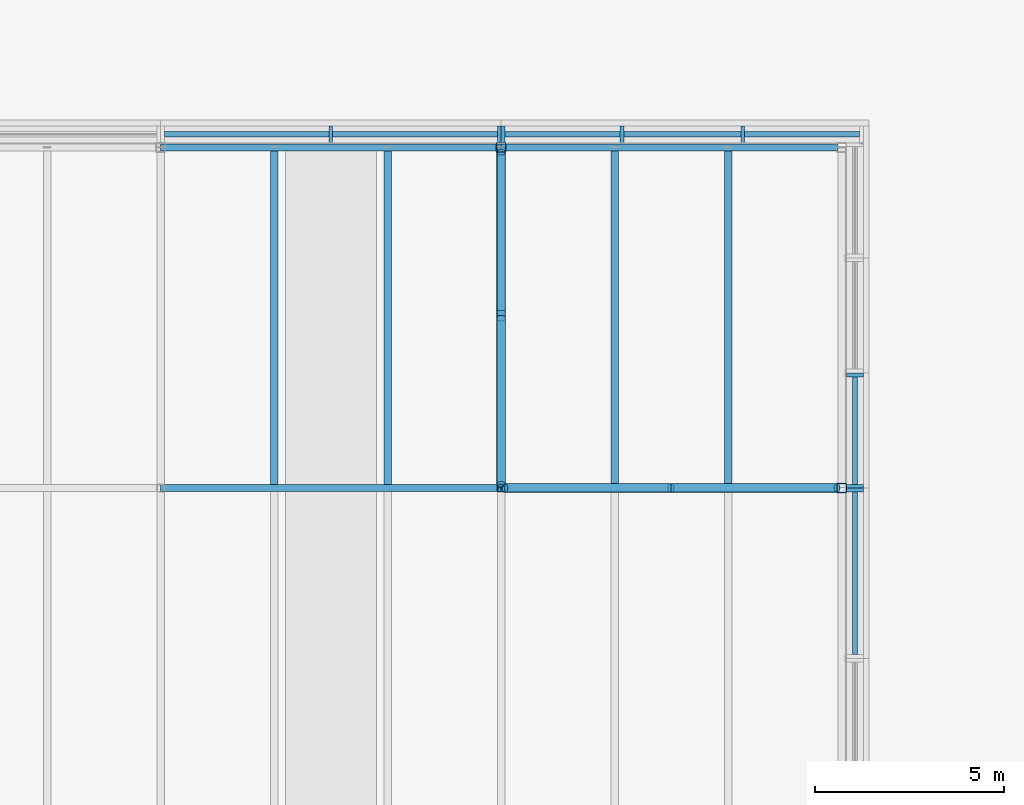
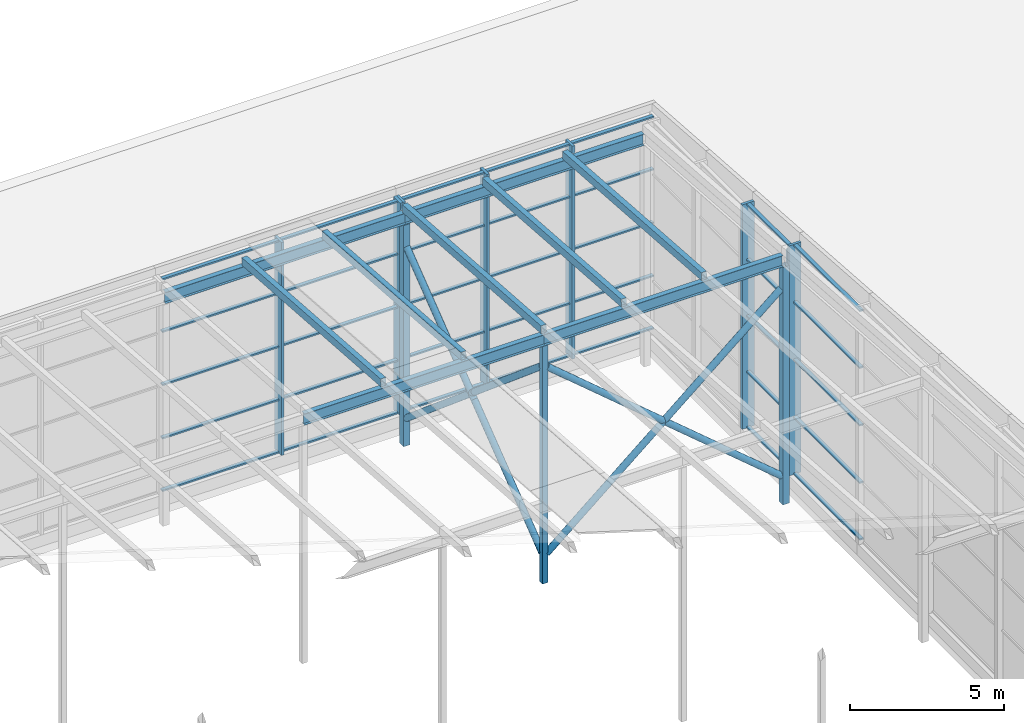
# One storey, part 47 of 84: 59 members, 4 beams, 4 elements without a shape of their own.
"""IFC4 building model written with IfcOpenShell, lengths in metres."""

import ifcopenshell
import ifcopenshell.guid

model = None  # the IFC model being written
_history = None  # IfcOwnerHistory: only IFC2X3 demands one
_inside = {}  # id of a spatial element -> (the spatial element, [elements in it])
_under = {}  # id of a project, library or spatial element -> (it, [spatial elements below it])
_declared = {}  # id of a project -> (the project, [libraries it declares])
_typed = {}  # id of a type object -> (the type object, [elements of that type])
_made_of = {}  # id of a material, layer set ... -> (it, [elements and type objects made of it])


def new_model(schema):
    """Start an empty IFC model of exactly this schema.

    Asked for "IFC4X3", IfcOpenShell would pick the latest addendum, in which some entities
    have other attributes; the version numbers below select the first issue.
    IFC2X3 requires an IfcOwnerHistory on every rooted entity: one is made here for all.
    """
    global model, _history
    if schema == "IFC4X3":
        model = ifcopenshell.file(schema_version=(4, 3, 0, 0))
    else:
        model = ifcopenshell.file(schema=schema)
    _inside.clear()
    _under.clear()
    _declared.clear()
    _typed.clear()
    _made_of.clear()
    _history = None
    if model.schema == "IFC2X3":
        org = make("IfcOrganization", Name="unknown")
        user = make(
            "IfcPersonAndOrganization",
            ThePerson=make("IfcPerson", FamilyName="unknown"),
            TheOrganization=org,
        )
        app = make(
            "IfcApplication",
            ApplicationDeveloper=org,
            Version="unknown",
            ApplicationFullName="unknown",
            ApplicationIdentifier="unknown",
        )
        _history = make(
            "IfcOwnerHistory",
            OwningUser=user,
            OwningApplication=app,
            ChangeAction="ADDED",
            CreationDate=0,
        )
    return model


def make(cls, **values):
    """One entity of the class cls with the attributes given. An attribute that is None is left unset."""
    return model.create_entity(
        cls, **{name: value for name, value in values.items() if value is not None}
    )


def rooted(cls, **values):
    """An entity with a GlobalId (a new one), such as an element, a storey or a relation."""
    return make(cls, GlobalId=ifcopenshell.guid.new(), OwnerHistory=_history, **values)


def si_unit(unit_type, name, prefix=None):
    """IfcSIUnit, for example si_unit("LENGTHUNIT", "METRE", prefix="MILLI")."""
    return make("IfcSIUnit", UnitType=unit_type, Prefix=prefix, Name=name)


def assignment(units):
    """IfcUnitAssignment: the units of a project."""
    return None if units is None else make("IfcUnitAssignment", Units=units)


def point(xyz):
    """IfcCartesianPoint."""
    return None if xyz is None else make("IfcCartesianPoint", Coordinates=xyz)


def direction(xyz):
    """IfcDirection."""
    return None if xyz is None else make("IfcDirection", DirectionRatios=xyz)


def frame(location, z_axis=None, x_axis=None):
    """IfcAxis2Placement3D, a coordinate frame: its origin and axes. An axis left out is left unset."""
    return make(
        "IfcAxis2Placement3D",
        Location=point(location),
        Axis=direction(z_axis),
        RefDirection=direction(x_axis),
    )


def frame_2d(location, x_axis=None):
    """IfcAxis2Placement2D, a coordinate frame in the plane: its origin and x axis."""
    return make(
        "IfcAxis2Placement2D", Location=point(location), RefDirection=direction(x_axis)
    )


def origin():
    """The frame at (0, 0, 0) with its axes left unset."""
    return frame((0.0, 0.0, 0.0))


def origin_2d():
    """The frame at (0, 0) in the plane with its x axis left unset."""
    return frame_2d((0.0, 0.0))


def place(relative_to, where):
    """IfcLocalPlacement: puts the frame where relative to a parent placement (None: the world)."""
    return make(
        "IfcLocalPlacement", PlacementRelTo=relative_to, RelativePlacement=where
    )


def context(
    kind, dimensions, precision=None, world=None, true_north=None, identifier=None
):
    """IfcGeometricRepresentationContext, for example the 3D "Model" context."""
    return make(
        "IfcGeometricRepresentationContext",
        ContextIdentifier=identifier,
        ContextType=kind,
        CoordinateSpaceDimension=dimensions,
        Precision=precision,
        WorldCoordinateSystem=world,
        TrueNorth=true_north,
    )


def subcontext(parent, identifier, kind, view, scale=None):
    """IfcGeometricRepresentationSubContext, for example "Body" below "Model"."""
    return make(
        "IfcGeometricRepresentationSubContext",
        ContextIdentifier=identifier,
        ContextType=kind,
        ParentContext=parent,
        TargetScale=scale,
        TargetView=view,
    )


def project(units=None, contexts=None):
    """IfcProject with its units and contexts."""
    return rooted(
        "IfcProject",
        Name="project",
        RepresentationContexts=contexts,
        UnitsInContext=assignment(units),
    )


def spatial(cls, under=None, at=None, **own):
    """A site, building, storey or space (cls), placed at a placement, below another one or the project."""
    s = rooted(cls, ObjectPlacement=at, **own)
    if under is not None:
        _under.setdefault(under.id(), (under, []))[1].append(s)
    return s


def profile(cls, at=None, kind="AREA", **sizes):
    """A parametric profile (cls). Its sizes go by their IFC names, for example OverallWidth=200.0."""
    return make(cls, ProfileType=kind, Position=at, **sizes)


def rectangle(**sizes):
    """IfcRectangleProfileDef."""
    return profile("IfcRectangleProfileDef", **sizes)


def hollow_rectangle(**sizes):
    """IfcRectangleHollowProfileDef."""
    return profile("IfcRectangleHollowProfileDef", **sizes)


def hollow_circle(**sizes):
    """IfcCircleHollowProfileDef."""
    return profile("IfcCircleHollowProfileDef", **sizes)


def i_section(**sizes):
    """IfcIShapeProfileDef."""
    return profile("IfcIShapeProfileDef", **sizes)


def extrude(swept, where, along, depth):
    """IfcExtrudedAreaSolid: the profile swept, set in the frame where, extruded along a direction by depth."""
    return make(
        "IfcExtrudedAreaSolid",
        SweptArea=swept,
        Position=where,
        ExtrudedDirection=direction(along),
        Depth=depth,
    )


def shape(context_of_items, identifier, shape_type, items):
    """IfcShapeRepresentation: the items that make up one representation, for example the "Body"."""
    return make(
        "IfcShapeRepresentation",
        ContextOfItems=context_of_items,
        RepresentationIdentifier=identifier,
        RepresentationType=shape_type,
        Items=items,
    )


def material(Name=None, Category=None):
    """IfcMaterial."""
    return make("IfcMaterial", Name=Name, Category=Category)


def material_profile(
    of_material, cross_section, Name=None, Category=None, Priority=None
):
    """IfcMaterialProfile: a cross section and its material."""
    return make(
        "IfcMaterialProfile",
        Name=Name,
        Material=of_material,
        Profile=cross_section,
        Priority=Priority,
        Category=Category,
    )


def profile_set(profiles, Name=None, composite=None):
    """IfcMaterialProfileSet."""
    return make(
        "IfcMaterialProfileSet",
        Name=Name,
        MaterialProfiles=profiles,
        CompositeProfile=composite,
    )


def made_of(thing, what):
    """Note that an element or type object is made of a material, layer set ...; save() writes the relation."""
    if what is not None:
        _made_of.setdefault(what.id(), (what, []))[1].append(thing)
    return thing


def type_object(cls, material=None, **own):
    """A type object (cls), such as IfcWallType, which elements share."""
    return made_of(rooted(cls, **own), material)


def element(
    cls,
    number,
    at=None,
    inside=None,
    cuts=None,
    type_object=None,
    material=None,
    context=None,
    identifier="Body",
    shape_type=None,
    held_by="IfcProductDefinitionShape",
    body=None,
    shapes=None,
    **own,
):
    """One element of the class cls, such as IfcWall. Its Tag is "e" and its number.

    at: its placement. inside: the storey or other place that contains it. cuts: it is an
    opening in that element (IfcRelVoidsElement). A single representation is given by context,
    identifier, shape_type and body (its items); several are given by shapes. held_by: the class
    of the entity that holds the representations. save() writes the other relations.
    """
    e = rooted(cls, Tag="e%d" % number, ObjectPlacement=at, **own)
    if body is not None:
        shapes = [shape(context, identifier, shape_type, body)]
    if shapes is not None:
        e.Representation = make(held_by, Representations=shapes)
    if inside is not None:
        _inside.setdefault(inside.id(), (inside, []))[1].append(e)
    if cuts is not None:
        rooted(
            "IfcRelVoidsElement", RelatingBuildingElement=cuts, RelatedOpeningElement=e
        )
    if type_object is not None:
        _typed.setdefault(type_object.id(), (type_object, []))[1].append(e)
    return made_of(e, material)


def aggregate(whole, parts):
    """IfcRelAggregates: a whole, such as a stair, and the parts it consists of."""
    return rooted("IfcRelAggregates", RelatingObject=whole, RelatedObjects=parts)


def save(model, path):
    """Write the relations noted so far, then the file.

    IfcRelAggregates (storeys below a building ...), IfcRelContainedInSpatialStructure (elements
    in a storey), IfcRelDefinesByType, IfcRelAssociatesMaterial and IfcRelDeclares: one each for
    every whole, place, type object, material and project.
    """
    for whole, parts in _under.values():
        aggregate(whole, parts)
    for where, things in _inside.values():
        rooted(
            "IfcRelContainedInSpatialStructure",
            RelatedElements=things,
            RelatingStructure=where,
        )
    for kind, things in _typed.values():
        rooted("IfcRelDefinesByType", RelatedObjects=things, RelatingType=kind)
    for what, things in _made_of.values():
        rooted("IfcRelAssociatesMaterial", RelatedObjects=things, RelatingMaterial=what)
    for by, libraries in _declared.values():
        rooted("IfcRelDeclares", RelatingContext=by, RelatedDefinitions=libraries)
    model.write(path)


model = new_model("IFC4")

# Units and contexts
model_context = context("Model", 3, precision=1e-05, world=origin(), true_north=direction((0.0, 1.0)))
body_context = subcontext(model_context, "Body", "Model", "MODEL_VIEW")
ifc_project = project(units=[si_unit("LENGTHUNIT", "METRE"), si_unit("AREAUNIT", "SQUARE_METRE"), si_unit("VOLUMEUNIT", "CUBIC_METRE"), si_unit("PLANEANGLEUNIT", "RADIAN"), si_unit("MASSUNIT", "GRAM", prefix="KILO")], contexts=[model_context])

# Site, building, storey
site_placement = place(None, origin())
site = spatial("IfcSite", under=ifc_project, at=site_placement, CompositionType="ELEMENT")
building_placement = place(site_placement, origin())
building = spatial("IfcBuilding", under=site, at=building_placement, Name="Silverbay Arena", CompositionType="ELEMENT")
storey_placement = place(building_placement, frame((0.0, 0.0, 47.10009765625)))
storey = spatial("IfcBuildingStorey", under=building, at=storey_placement, Name="ROOF", CompositionType="ELEMENT", Elevation=47.10009765625)

# Curtain wall, members
ifc_material_1 = material(Name="Aluminium framed glazing", Category="aluminium")
curtain_wall_type_1 = type_object("IfcCurtainWallType", Name="Curtain wall crown 9000 x 8425", PredefinedType="NOTDEFINED", material=ifc_material_1)
curtain_wall_1_placement = place(storey_placement, origin())
curtain_wall_1 = element("IfcCurtainWall", 1, at=curtain_wall_1_placement, inside=storey, type_object=curtain_wall_type_1, Name="ROOF CROWN CURTAIN WALL north bay 10", PredefinedType="NOTDEFINED")
ifc_material_2 = material(Name="Aluminium", Category="aluminium")
ifc_material_profile_1 = material_profile(ifc_material_2, rectangle(XDim=0.449951171875, YDim=0.10009765625, at=origin_2d()), Name="Mullion 100 x 450")
ifc_profile_set_1 = profile_set([ifc_material_profile_1], Name="Aluminium")
member_type_1 = type_object("IfcMemberType", Name="Mullion 100 x 450", PredefinedType="MULLION", material=ifc_profile_set_1)
placement = place(building_placement, frame((0.0, 0.0, 33.5)))
member_1_placement = place(placement, frame((166.5, 135.35009765625, 14.050048828125), z_axis=(0.0, 0.0, 1.0), x_axis=(0.0, 1.0, 0.0)))
member_1 = element("IfcMember", 2, at=member_1_placement, type_object=member_type_1, Name="CW62 mullion 2", PredefinedType="MULLION", context=body_context, shape_type="SweptSolid", body=[
    extrude(rectangle(XDim=0.449951171875, YDim=0.10009765625, at=origin_2d()), origin(), (0.0, 0.0, 1.0), 8.424560546875),
])
member_2_placement = place(placement, frame((170.949951171875, 135.35009765625, 14.050048828125), z_axis=(0.0, 0.0, 1.0), x_axis=(0.0, 1.0, 0.0)))
member_2 = element("IfcMember", 3, at=member_2_placement, type_object=member_type_1, Name="CW62 mullion 3", PredefinedType="MULLION", context=body_context, shape_type="SweptSolid", body=[
    extrude(rectangle(XDim=0.449951171875, YDim=0.10009765625, at=origin_2d()), origin(), (0.0, 0.0, 1.0), 8.424560546875),
])

ifc_material_3 = material(Name="Aluminium framed glazing", Category="aluminium")
curtain_wall_type_2 = type_object("IfcCurtainWallType", Name="Curtain wall crown 9575 x 8425", PredefinedType="NOTDEFINED", material=ifc_material_3)
curtain_wall_2_placement = place(storey_placement, origin())
curtain_wall_2 = element("IfcCurtainWall", 4, at=curtain_wall_2_placement, inside=storey, type_object=curtain_wall_type_2, Name="ROOF CROWN CURTAIN WALL north bay 11", PredefinedType="NOTDEFINED")
member_3_placement = place(placement, frame((171.050048828125, 135.35009765625, 14.050048828125), z_axis=(0.0, 0.0, 1.0), x_axis=(0.0, 1.0, 0.0)))
member_3 = element("IfcMember", 5, at=member_3_placement, type_object=member_type_1, Name="CW61 mullion 1", PredefinedType="MULLION", context=body_context, shape_type="SweptSolid", body=[
    extrude(rectangle(XDim=0.449951171875, YDim=0.10009765625, at=origin_2d()), origin(), (0.0, 0.0, 1.0), 8.424560546875),
])
member_4_placement = place(placement, frame((174.191650390625, 135.35009765625, 14.050048828125), z_axis=(0.0, 0.0, 1.0), x_axis=(0.0, 1.0, 0.0)))
member_4 = element("IfcMember", 6, at=member_4_placement, type_object=member_type_1, Name="CW61 mullion 2", PredefinedType="MULLION", context=body_context, shape_type="SweptSolid", body=[
    extrude(rectangle(XDim=0.449951171875, YDim=0.10009765625, at=origin_2d()), origin(), (0.0, 0.0, 1.0), 8.424560546875),
])
member_5_placement = place(placement, frame((177.38330078125, 135.35009765625, 14.050048828125), z_axis=(0.0, 0.0, 1.0), x_axis=(0.0, 1.0, 0.0)))
member_5 = element("IfcMember", 7, at=member_5_placement, type_object=member_type_1, Name="CW61 mullion 3", PredefinedType="MULLION", context=body_context, shape_type="SweptSolid", body=[
    extrude(rectangle(XDim=0.449951171875, YDim=0.10009765625, at=origin_2d()), origin(), (0.0, 0.0, 1.0), 8.424560546875),
])

# Curtain wall, member
ifc_material_4 = material(Name="Aluminium framed glazing", Category="aluminium")
curtain_wall_type_3 = type_object("IfcCurtainWallType", Name="Curtain wall crown 4500 x 9100", PredefinedType="NOTDEFINED", material=ifc_material_4)
curtain_wall_3_placement = place(storey_placement, origin())
curtain_wall_3 = element("IfcCurtainWall", 8, at=curtain_wall_3_placement, inside=storey, type_object=curtain_wall_type_3, Name="ROOF CROWN CURTAIN WALL east bay 23", PredefinedType="NOTDEFINED")
member_6_placement = place(placement, frame((180.35009765625, 125.949951171875, 14.050048828125), z_axis=(0.0, 0.0, 1.0), x_axis=(-1.0, 0.0, 0.0)))
member_6 = element("IfcMember", 9, at=member_6_placement, type_object=member_type_1, Name="CW66 mullion 2", PredefinedType="MULLION", context=body_context, shape_type="SweptSolid", body=[
    extrude(rectangle(XDim=0.449951171875, YDim=0.10009765625, at=origin_2d()), origin(), (0.0, 0.0, 1.0), 9.099853515625),
])

# Curtain wall, members
ifc_material_5 = material(Name="Aluminium framed glazing", Category="aluminium")
curtain_wall_type_4 = type_object("IfcCurtainWallType", Name="Curtain wall crown 3042 x 8880", PredefinedType="NOTDEFINED", material=ifc_material_5)
curtain_wall_4_placement = place(storey_placement, origin())
curtain_wall_4 = element("IfcCurtainWall", 10, at=curtain_wall_4_placement, inside=storey, type_object=curtain_wall_type_4, Name="ROOF CROWN CURTAIN WALL east bay 24", PredefinedType="NOTDEFINED")
member_7_placement = place(placement, frame((180.35009765625, 126.050048828125, 14.050048828125), z_axis=(0.0, 0.0, 1.0), x_axis=(-1.0, 0.0, 0.0)))
member_7 = element("IfcMember", 11, at=member_7_placement, type_object=member_type_1, Name="CW65 mullion 1", PredefinedType="MULLION", context=body_context, shape_type="SweptSolid", body=[
    extrude(rectangle(XDim=0.449951171875, YDim=0.10009765625, at=origin_2d()), origin(), (0.0, 0.0, 1.0), 8.88037109375),
])
member_8_placement = place(placement, frame((180.35009765625, 128.99169921875, 14.050048828125), z_axis=(0.0, 0.0, 1.0), x_axis=(-1.0, 0.0, 0.0)))
member_8 = element("IfcMember", 12, at=member_8_placement, type_object=member_type_1, Name="CW65 mullion 2", PredefinedType="MULLION", context=body_context, shape_type="SweptSolid", body=[
    extrude(rectangle(XDim=0.449951171875, YDim=0.10009765625, at=origin_2d()), origin(), (0.0, 0.0, 1.0), 8.88037109375),
])

# Members
ifc_material_6 = material(Name="Steel S355", Category="steel")
ifc_material_profile_2 = material_profile(ifc_material_6, hollow_rectangle(XDim=0.199951171875, YDim=0.300048828125, WallThickness=0.00634765625, at=origin_2d()), Name="RHS 300x200x6.3")
ifc_profile_set_2 = profile_set([ifc_material_profile_2], Name="Steel S355")
member_type_2 = type_object("IfcMemberType", Name="Purlin RHS 300x200x6.3", PredefinedType="PURLIN", material=ifc_profile_set_2)
for number, where, z_axis, x_axis, name in (
    (13, (165.0, 126.0, 9.3994140625), (0.0, 0.997402911363, -0.072023832195), (-1.0, 0.0, 0.0), "ROOF PURLIN crown line 29 bay 12"),
    (14, (168.0, 126.0, 9.3994140625), (0.0, 0.997402911363, -0.072023832195), (-1.0, 0.0, 0.0), "ROOF PURLIN crown line 30 bay 12"),
    (15, (171.0, 126.0, 9.3994140625), (0.0, 0.997402911363, -0.072023832195), (-1.0, 0.0, 0.0), "ROOF PURLIN crown line 31 bay 12"),
    (16, (174.0, 126.0, 9.3994140625), (0.0, 0.997402911363, -0.072023832195), (-1.0, 0.0, 0.0), "ROOF PURLIN crown line 32 bay 12"),
    (17, (177.0, 126.0, 9.3994140625), (0.0, 0.997402911363, -0.072023832195), (-1.0, 0.0, 0.0), "ROOF PURLIN crown line 33 bay 12"),
):
    element("IfcMember", number, at=place(storey_placement, frame(where, z_axis=z_axis, x_axis=x_axis)), inside=storey, type_object=member_type_2, Name=name, PredefinedType="PURLIN", context=body_context, shape_type="SweptSolid", body=[
        extrude(hollow_rectangle(XDim=0.199951171875, YDim=0.300048828125, WallThickness=0.00634765625, at=origin_2d()), origin(), (0.0, 0.0, 1.0), 9.0234375),
    ])

# Beams
ifc_material_7 = material(Name="Steel S355", Category="steel")
ifc_material_profile_3 = material_profile(ifc_material_7, i_section(OverallWidth=0.18994140625, OverallDepth=0.453369140625, WebThickness=0.008544921875, FlangeThickness=0.0126953125, at=origin_2d()), Name="UB 457x191x67")
ifc_profile_set_3 = profile_set([ifc_material_profile_3], Name="Steel S355")
beam_type = type_object("IfcBeamType", Name="Ring beam UB 457x191x67", PredefinedType="BEAM", material=ifc_profile_set_3)
beam_1_placement = place(storey_placement, frame((162.0, 126.0, 9.0224609375), z_axis=(1.0, 0.0, 0.0), x_axis=(0.0, 1.0, 0.0)))
element("IfcBeam", 18, at=beam_1_placement, inside=storey, type_object=beam_type, Name="RING BEAM crown row 12 19-20", PredefinedType="BEAM", context=body_context, shape_type="SweptSolid", body=[
    extrude(i_section(OverallWidth=0.18994140625, OverallDepth=0.453369140625, WebThickness=0.008544921875, FlangeThickness=0.0126953125, at=origin_2d()), origin(), (0.0, 0.0, 1.0), 9.0),
])
beam_2_placement = place(storey_placement, frame((171.0, 126.0, 9.0224609375), z_axis=(1.0, 0.0, 0.0), x_axis=(0.0, 1.0, 0.0)))
element("IfcBeam", 19, at=beam_2_placement, inside=storey, type_object=beam_type, Name="RING BEAM crown row 12 20-21", PredefinedType="BEAM", context=body_context, shape_type="SweptSolid", body=[
    extrude(i_section(OverallWidth=0.18994140625, OverallDepth=0.453369140625, WebThickness=0.008544921875, FlangeThickness=0.0126953125, at=origin_2d()), origin(), (0.0, 0.0, 1.0), 8.905029296875),
])
beam_3_placement = place(storey_placement, frame((162.0, 135.0, 8.372314453125), z_axis=(1.0, 0.0, 0.0), x_axis=(0.0, 1.0, 0.0)))
element("IfcBeam", 20, at=beam_3_placement, inside=storey, type_object=beam_type, Name="RING BEAM crown row 13 19-20", PredefinedType="BEAM", context=body_context, shape_type="SweptSolid", body=[
    extrude(i_section(OverallWidth=0.18994140625, OverallDepth=0.453369140625, WebThickness=0.008544921875, FlangeThickness=0.0126953125, at=origin_2d()), origin(), (0.0, 0.0, 1.0), 9.0),
])
beam_4_placement = place(storey_placement, frame((171.0, 135.0, 8.372314453125), z_axis=(1.0, 0.0, 0.0), x_axis=(0.0, 1.0, 0.0)))
element("IfcBeam", 21, at=beam_4_placement, inside=storey, type_object=beam_type, Name="RING BEAM crown row 13 20-21", PredefinedType="BEAM", context=body_context, shape_type="SweptSolid", body=[
    extrude(i_section(OverallWidth=0.18994140625, OverallDepth=0.453369140625, WebThickness=0.008544921875, FlangeThickness=0.0126953125, at=origin_2d()), origin(), (0.0, 0.0, 1.0), 8.905029296875),
])

# Members
ifc_material_8 = material(Name="Steel S355", Category="steel")
ifc_material_profile_4 = material_profile(ifc_material_8, hollow_rectangle(XDim=0.199951171875, YDim=0.199951171875, WallThickness=0.008056640625, at=origin_2d()), Name="SHS 200x200x8")
ifc_profile_set_4 = profile_set([ifc_material_profile_4], Name="Steel S355")
member_type_3 = type_object("IfcMemberType", Name="Roof post SHS 200x200x8", PredefinedType="POST", material=ifc_profile_set_4)
member_9_placement = place(storey_placement, frame((171.0, 126.0, -0.60009765625), z_axis=(0.0, 0.0, 1.0), x_axis=(1.0, 0.0, 0.0)))
element("IfcMember", 22, at=member_9_placement, inside=storey, type_object=member_type_3, Name="ROOF CROWN POST 20 row 12", PredefinedType="POST", context=body_context, shape_type="SweptSolid", body=[
    extrude(hollow_rectangle(XDim=0.199951171875, YDim=0.199951171875, WallThickness=0.008056640625, at=origin_2d()), origin(), (0.0, 0.0, 1.0), 9.395751953125),
])
ifc_material_9 = material(Name="Steel S355", Category="steel")
ifc_material_profile_5 = material_profile(ifc_material_9, hollow_rectangle(XDim=0.25, YDim=0.25, WallThickness=0.008056640625, at=origin_2d()), Name="SHS 250x250x8")
ifc_profile_set_5 = profile_set([ifc_material_profile_5], Name="Steel S355")
member_type_4 = type_object("IfcMemberType", Name="Roof post SHS 250x250x8", PredefinedType="POST", material=ifc_profile_set_5)
member_10_placement = place(storey_placement, frame((171.0, 135.0, -0.60009765625), z_axis=(0.0, 0.0, 1.0), x_axis=(1.0, 0.0, 0.0)))
element("IfcMember", 23, at=member_10_placement, inside=storey, type_object=member_type_4, Name="ROOF CROWN POST 20 row 13", PredefinedType="POST", context=body_context, shape_type="SweptSolid", body=[
    extrude(hollow_rectangle(XDim=0.25, YDim=0.25, WallThickness=0.008056640625, at=origin_2d()), origin(), (0.0, 0.0, 1.0), 8.745849609375),
])
member_11_placement = place(storey_placement, frame((180.0, 126.0, -0.60009765625), z_axis=(0.0, 0.0, 1.0), x_axis=(1.0, 0.0, 0.0)))
element("IfcMember", 24, at=member_11_placement, inside=storey, type_object=member_type_4, Name="ROOF CROWN POST 21 row 12", PredefinedType="POST", context=body_context, shape_type="SweptSolid", body=[
    extrude(hollow_rectangle(XDim=0.25, YDim=0.25, WallThickness=0.008056640625, at=origin_2d()), origin(), (0.0, 0.0, 1.0), 9.395751953125),
])

# Member
ifc_material_10 = material(Name="Aluminium", Category="aluminium")
ifc_material_profile_6 = material_profile(ifc_material_10, rectangle(XDim=0.139892578125, YDim=0.06005859375, at=origin_2d()), Name="Transom 60 x 140")
ifc_profile_set_6 = profile_set([ifc_material_profile_6], Name="Aluminium")
member_type_5 = type_object("IfcMemberType", Name="Transom 60 x 140", PredefinedType="USERDEFINED", material=ifc_profile_set_6)
member_12_placement = place(placement, frame((162.10009765625, 135.35009765625, 14.080078125), z_axis=(1.0, 0.0, 0.0), x_axis=(0.0, 1.0, 0.0)))
member_12 = element("IfcMember", 25, at=member_12_placement, type_object=member_type_5, Name="CW62 transom 1.1", ObjectType="TRANSOM", PredefinedType="USERDEFINED", context=body_context, shape_type="SweptSolid", body=[
    extrude(rectangle(XDim=0.139892578125, YDim=0.06005859375, at=origin_2d()), origin(), (0.0, 0.0, 1.0), 4.349853515625),
])

member_13_placement = place(placement, frame((162.10009765625, 135.35009765625, 16.15625), z_axis=(1.0, 0.0, 0.0), x_axis=(0.0, 1.0, 0.0)))
member_13 = element("IfcMember", 26, at=member_13_placement, type_object=member_type_5, Name="CW62 transom 1.2", ObjectType="TRANSOM", PredefinedType="USERDEFINED", context=body_context, shape_type="SweptSolid", body=[
    extrude(rectangle(XDim=0.139892578125, YDim=0.06005859375, at=origin_2d()), origin(), (0.0, 0.0, 1.0), 4.349853515625),
])

member_14_placement = place(placement, frame((162.10009765625, 135.35009765625, 18.262451171875), z_axis=(1.0, 0.0, 0.0), x_axis=(0.0, 1.0, 0.0)))
member_14 = element("IfcMember", 27, at=member_14_placement, type_object=member_type_5, Name="CW62 transom 1.3", ObjectType="TRANSOM", PredefinedType="USERDEFINED", context=body_context, shape_type="SweptSolid", body=[
    extrude(rectangle(XDim=0.139892578125, YDim=0.06005859375, at=origin_2d()), origin(), (0.0, 0.0, 1.0), 4.349853515625),
])

member_15_placement = place(placement, frame((162.10009765625, 135.35009765625, 20.36865234375), z_axis=(1.0, 0.0, 0.0), x_axis=(0.0, 1.0, 0.0)))
member_15 = element("IfcMember", 28, at=member_15_placement, type_object=member_type_5, Name="CW62 transom 1.4", ObjectType="TRANSOM", PredefinedType="USERDEFINED", context=body_context, shape_type="SweptSolid", body=[
    extrude(rectangle(XDim=0.139892578125, YDim=0.06005859375, at=origin_2d()), origin(), (0.0, 0.0, 1.0), 4.349853515625),
])

member_16_placement = place(placement, frame((162.10009765625, 135.35009765625, 22.44482421875), z_axis=(1.0, 0.0, 0.0), x_axis=(0.0, 1.0, 0.0)))
member_16 = element("IfcMember", 29, at=member_16_placement, type_object=member_type_5, Name="CW62 transom 1.5", ObjectType="TRANSOM", PredefinedType="USERDEFINED", context=body_context, shape_type="SweptSolid", body=[
    extrude(rectangle(XDim=0.139892578125, YDim=0.06005859375, at=origin_2d()), origin(), (0.0, 0.0, 1.0), 4.349853515625),
])

member_17_placement = place(placement, frame((166.550048828125, 135.35009765625, 14.080078125), z_axis=(1.0, 0.0, 0.0), x_axis=(0.0, 1.0, 0.0)))
member_17 = element("IfcMember", 30, at=member_17_placement, type_object=member_type_5, Name="CW62 transom 2.1", ObjectType="TRANSOM", PredefinedType="USERDEFINED", context=body_context, shape_type="SweptSolid", body=[
    extrude(rectangle(XDim=0.139892578125, YDim=0.06005859375, at=origin_2d()), origin(), (0.0, 0.0, 1.0), 4.349853515625),
])

member_18_placement = place(placement, frame((166.550048828125, 135.35009765625, 16.15625), z_axis=(1.0, 0.0, 0.0), x_axis=(0.0, 1.0, 0.0)))
member_18 = element("IfcMember", 31, at=member_18_placement, type_object=member_type_5, Name="CW62 transom 2.2", ObjectType="TRANSOM", PredefinedType="USERDEFINED", context=body_context, shape_type="SweptSolid", body=[
    extrude(rectangle(XDim=0.139892578125, YDim=0.06005859375, at=origin_2d()), origin(), (0.0, 0.0, 1.0), 4.349853515625),
])

member_19_placement = place(placement, frame((166.550048828125, 135.35009765625, 18.262451171875), z_axis=(1.0, 0.0, 0.0), x_axis=(0.0, 1.0, 0.0)))
member_19 = element("IfcMember", 32, at=member_19_placement, type_object=member_type_5, Name="CW62 transom 2.3", ObjectType="TRANSOM", PredefinedType="USERDEFINED", context=body_context, shape_type="SweptSolid", body=[
    extrude(rectangle(XDim=0.139892578125, YDim=0.06005859375, at=origin_2d()), origin(), (0.0, 0.0, 1.0), 4.349853515625),
])

member_20_placement = place(placement, frame((166.550048828125, 135.35009765625, 20.36865234375), z_axis=(1.0, 0.0, 0.0), x_axis=(0.0, 1.0, 0.0)))
member_20 = element("IfcMember", 33, at=member_20_placement, type_object=member_type_5, Name="CW62 transom 2.4", ObjectType="TRANSOM", PredefinedType="USERDEFINED", context=body_context, shape_type="SweptSolid", body=[
    extrude(rectangle(XDim=0.139892578125, YDim=0.06005859375, at=origin_2d()), origin(), (0.0, 0.0, 1.0), 4.349853515625),
])

member_21_placement = place(placement, frame((166.550048828125, 135.35009765625, 22.44482421875), z_axis=(1.0, 0.0, 0.0), x_axis=(0.0, 1.0, 0.0)))
member_21 = element("IfcMember", 34, at=member_21_placement, type_object=member_type_5, Name="CW62 transom 2.5", ObjectType="TRANSOM", PredefinedType="USERDEFINED", context=body_context, shape_type="SweptSolid", body=[
    extrude(rectangle(XDim=0.139892578125, YDim=0.06005859375, at=origin_2d()), origin(), (0.0, 0.0, 1.0), 4.349853515625),
])

aggregate(curtain_wall_1, [member_1, member_2, member_12, member_13, member_14, member_15, member_16, member_17, member_18, member_19, member_20, member_21])

member_22_placement = place(placement, frame((171.10009765625, 135.35009765625, 14.080078125), z_axis=(1.0, 0.0, 0.0), x_axis=(0.0, 1.0, 0.0)))
member_22 = element("IfcMember", 35, at=member_22_placement, type_object=member_type_5, Name="CW61 transom 1.1", ObjectType="TRANSOM", PredefinedType="USERDEFINED", context=body_context, shape_type="SweptSolid", body=[
    extrude(rectangle(XDim=0.139892578125, YDim=0.06005859375, at=origin_2d()), origin(), (0.0, 0.0, 1.0), 3.04150390625),
])

member_23_placement = place(placement, frame((171.10009765625, 135.35009765625, 16.15625), z_axis=(1.0, 0.0, 0.0), x_axis=(0.0, 1.0, 0.0)))
member_23 = element("IfcMember", 36, at=member_23_placement, type_object=member_type_5, Name="CW61 transom 1.2", ObjectType="TRANSOM", PredefinedType="USERDEFINED", context=body_context, shape_type="SweptSolid", body=[
    extrude(rectangle(XDim=0.139892578125, YDim=0.06005859375, at=origin_2d()), origin(), (0.0, 0.0, 1.0), 3.04150390625),
])

member_24_placement = place(placement, frame((171.10009765625, 135.35009765625, 18.262451171875), z_axis=(1.0, 0.0, 0.0), x_axis=(0.0, 1.0, 0.0)))
member_24 = element("IfcMember", 37, at=member_24_placement, type_object=member_type_5, Name="CW61 transom 1.3", ObjectType="TRANSOM", PredefinedType="USERDEFINED", context=body_context, shape_type="SweptSolid", body=[
    extrude(rectangle(XDim=0.139892578125, YDim=0.06005859375, at=origin_2d()), origin(), (0.0, 0.0, 1.0), 3.04150390625),
])

member_25_placement = place(placement, frame((171.10009765625, 135.35009765625, 20.36865234375), z_axis=(1.0, 0.0, 0.0), x_axis=(0.0, 1.0, 0.0)))
member_25 = element("IfcMember", 38, at=member_25_placement, type_object=member_type_5, Name="CW61 transom 1.4", ObjectType="TRANSOM", PredefinedType="USERDEFINED", context=body_context, shape_type="SweptSolid", body=[
    extrude(rectangle(XDim=0.139892578125, YDim=0.06005859375, at=origin_2d()), origin(), (0.0, 0.0, 1.0), 3.04150390625),
])

member_26_placement = place(placement, frame((171.10009765625, 135.35009765625, 22.44482421875), z_axis=(1.0, 0.0, 0.0), x_axis=(0.0, 1.0, 0.0)))
member_26 = element("IfcMember", 39, at=member_26_placement, type_object=member_type_5, Name="CW61 transom 1.5", ObjectType="TRANSOM", PredefinedType="USERDEFINED", context=body_context, shape_type="SweptSolid", body=[
    extrude(rectangle(XDim=0.139892578125, YDim=0.06005859375, at=origin_2d()), origin(), (0.0, 0.0, 1.0), 3.04150390625),
])

member_27_placement = place(placement, frame((174.24169921875, 135.35009765625, 14.080078125), z_axis=(1.0, 0.0, 0.0), x_axis=(0.0, 1.0, 0.0)))
member_27 = element("IfcMember", 40, at=member_27_placement, type_object=member_type_5, Name="CW61 transom 2.1", ObjectType="TRANSOM", PredefinedType="USERDEFINED", context=body_context, shape_type="SweptSolid", body=[
    extrude(rectangle(XDim=0.139892578125, YDim=0.06005859375, at=origin_2d()), origin(), (0.0, 0.0, 1.0), 3.091552734375),
])

member_28_placement = place(placement, frame((174.24169921875, 135.35009765625, 16.15625), z_axis=(1.0, 0.0, 0.0), x_axis=(0.0, 1.0, 0.0)))
member_28 = element("IfcMember", 41, at=member_28_placement, type_object=member_type_5, Name="CW61 transom 2.2", ObjectType="TRANSOM", PredefinedType="USERDEFINED", context=body_context, shape_type="SweptSolid", body=[
    extrude(rectangle(XDim=0.139892578125, YDim=0.06005859375, at=origin_2d()), origin(), (0.0, 0.0, 1.0), 3.091552734375),
])

member_29_placement = place(placement, frame((174.24169921875, 135.35009765625, 18.262451171875), z_axis=(1.0, 0.0, 0.0), x_axis=(0.0, 1.0, 0.0)))
member_29 = element("IfcMember", 42, at=member_29_placement, type_object=member_type_5, Name="CW61 transom 2.3", ObjectType="TRANSOM", PredefinedType="USERDEFINED", context=body_context, shape_type="SweptSolid", body=[
    extrude(rectangle(XDim=0.139892578125, YDim=0.06005859375, at=origin_2d()), origin(), (0.0, 0.0, 1.0), 3.091552734375),
])

member_30_placement = place(placement, frame((174.24169921875, 135.35009765625, 20.36865234375), z_axis=(1.0, 0.0, 0.0), x_axis=(0.0, 1.0, 0.0)))
member_30 = element("IfcMember", 43, at=member_30_placement, type_object=member_type_5, Name="CW61 transom 2.4", ObjectType="TRANSOM", PredefinedType="USERDEFINED", context=body_context, shape_type="SweptSolid", body=[
    extrude(rectangle(XDim=0.139892578125, YDim=0.06005859375, at=origin_2d()), origin(), (0.0, 0.0, 1.0), 3.091552734375),
])

member_31_placement = place(placement, frame((174.24169921875, 135.35009765625, 22.44482421875), z_axis=(1.0, 0.0, 0.0), x_axis=(0.0, 1.0, 0.0)))
member_31 = element("IfcMember", 44, at=member_31_placement, type_object=member_type_5, Name="CW61 transom 2.5", ObjectType="TRANSOM", PredefinedType="USERDEFINED", context=body_context, shape_type="SweptSolid", body=[
    extrude(rectangle(XDim=0.139892578125, YDim=0.06005859375, at=origin_2d()), origin(), (0.0, 0.0, 1.0), 3.091552734375),
])

member_32_placement = place(placement, frame((177.433349609375, 135.35009765625, 14.080078125), z_axis=(1.0, 0.0, 0.0), x_axis=(0.0, 1.0, 0.0)))
member_32 = element("IfcMember", 45, at=member_32_placement, type_object=member_type_5, Name="CW61 transom 3.1", ObjectType="TRANSOM", PredefinedType="USERDEFINED", context=body_context, shape_type="SweptSolid", body=[
    extrude(rectangle(XDim=0.139892578125, YDim=0.06005859375, at=origin_2d()), origin(), (0.0, 0.0, 1.0), 3.041748046875),
])

member_33_placement = place(placement, frame((177.433349609375, 135.35009765625, 16.15625), z_axis=(1.0, 0.0, 0.0), x_axis=(0.0, 1.0, 0.0)))
member_33 = element("IfcMember", 46, at=member_33_placement, type_object=member_type_5, Name="CW61 transom 3.2", ObjectType="TRANSOM", PredefinedType="USERDEFINED", context=body_context, shape_type="SweptSolid", body=[
    extrude(rectangle(XDim=0.139892578125, YDim=0.06005859375, at=origin_2d()), origin(), (0.0, 0.0, 1.0), 3.041748046875),
])

member_34_placement = place(placement, frame((177.433349609375, 135.35009765625, 18.262451171875), z_axis=(1.0, 0.0, 0.0), x_axis=(0.0, 1.0, 0.0)))
member_34 = element("IfcMember", 47, at=member_34_placement, type_object=member_type_5, Name="CW61 transom 3.3", ObjectType="TRANSOM", PredefinedType="USERDEFINED", context=body_context, shape_type="SweptSolid", body=[
    extrude(rectangle(XDim=0.139892578125, YDim=0.06005859375, at=origin_2d()), origin(), (0.0, 0.0, 1.0), 3.041748046875),
])

member_35_placement = place(placement, frame((177.433349609375, 135.35009765625, 20.36865234375), z_axis=(1.0, 0.0, 0.0), x_axis=(0.0, 1.0, 0.0)))
member_35 = element("IfcMember", 48, at=member_35_placement, type_object=member_type_5, Name="CW61 transom 3.4", ObjectType="TRANSOM", PredefinedType="USERDEFINED", context=body_context, shape_type="SweptSolid", body=[
    extrude(rectangle(XDim=0.139892578125, YDim=0.06005859375, at=origin_2d()), origin(), (0.0, 0.0, 1.0), 3.041748046875),
])

member_36_placement = place(placement, frame((177.433349609375, 135.35009765625, 22.44482421875), z_axis=(1.0, 0.0, 0.0), x_axis=(0.0, 1.0, 0.0)))
member_36 = element("IfcMember", 49, at=member_36_placement, type_object=member_type_5, Name="CW61 transom 3.5", ObjectType="TRANSOM", PredefinedType="USERDEFINED", context=body_context, shape_type="SweptSolid", body=[
    extrude(rectangle(XDim=0.139892578125, YDim=0.06005859375, at=origin_2d()), origin(), (0.0, 0.0, 1.0), 3.041748046875),
])

aggregate(curtain_wall_2, [member_3, member_4, member_5, member_22, member_23, member_24, member_25, member_26, member_27, member_28, member_29, member_30, member_31, member_32, member_33, member_34, member_35, member_36])

member_37_placement = place(placement, frame((180.35009765625, 121.60009765625, 14.080078125), z_axis=(0.0, 1.0, 0.0), x_axis=(-1.0, 0.0, 0.0)))
member_37 = element("IfcMember", 50, at=member_37_placement, type_object=member_type_5, Name="CW66 transom 1.1", ObjectType="TRANSOM", PredefinedType="USERDEFINED", context=body_context, shape_type="SweptSolid", body=[
    extrude(rectangle(XDim=0.139892578125, YDim=0.06005859375, at=origin_2d()), origin(), (0.0, 0.0, 1.0), 4.2998046875),
])

member_38_placement = place(placement, frame((180.35009765625, 121.60009765625, 16.324951171875), z_axis=(0.0, 1.0, 0.0), x_axis=(-1.0, 0.0, 0.0)))
member_38 = element("IfcMember", 51, at=member_38_placement, type_object=member_type_5, Name="CW66 transom 1.2", ObjectType="TRANSOM", PredefinedType="USERDEFINED", context=body_context, shape_type="SweptSolid", body=[
    extrude(rectangle(XDim=0.139892578125, YDim=0.06005859375, at=origin_2d()), origin(), (0.0, 0.0, 1.0), 4.2998046875),
])

member_39_placement = place(placement, frame((180.35009765625, 121.60009765625, 18.60009765625), z_axis=(0.0, 1.0, 0.0), x_axis=(-1.0, 0.0, 0.0)))
member_39 = element("IfcMember", 52, at=member_39_placement, type_object=member_type_5, Name="CW66 transom 1.3", ObjectType="TRANSOM", PredefinedType="USERDEFINED", context=body_context, shape_type="SweptSolid", body=[
    extrude(rectangle(XDim=0.139892578125, YDim=0.06005859375, at=origin_2d()), origin(), (0.0, 0.0, 1.0), 4.2998046875),
])

member_40_placement = place(placement, frame((180.35009765625, 121.60009765625, 20.875), z_axis=(0.0, 1.0, 0.0), x_axis=(-1.0, 0.0, 0.0)))
member_40 = element("IfcMember", 53, at=member_40_placement, type_object=member_type_5, Name="CW66 transom 1.4", ObjectType="TRANSOM", PredefinedType="USERDEFINED", context=body_context, shape_type="SweptSolid", body=[
    extrude(rectangle(XDim=0.139892578125, YDim=0.06005859375, at=origin_2d()), origin(), (0.0, 0.0, 1.0), 4.2998046875),
])

member_41_placement = place(placement, frame((180.35009765625, 121.60009765625, 23.1201171875), z_axis=(0.0, 1.0, 0.0), x_axis=(-1.0, 0.0, 0.0)))
member_41 = element("IfcMember", 54, at=member_41_placement, type_object=member_type_5, Name="CW66 transom 1.5", ObjectType="TRANSOM", PredefinedType="USERDEFINED", context=body_context, shape_type="SweptSolid", body=[
    extrude(rectangle(XDim=0.139892578125, YDim=0.06005859375, at=origin_2d()), origin(), (0.0, 0.0, 1.0), 4.2998046875),
])

aggregate(curtain_wall_3, [member_6, member_37, member_38, member_39, member_40, member_41])

member_42_placement = place(placement, frame((180.35009765625, 126.10009765625, 14.080078125), z_axis=(0.0, 1.0, 0.0), x_axis=(-1.0, 0.0, 0.0)))
member_42 = element("IfcMember", 55, at=member_42_placement, type_object=member_type_5, Name="CW65 transom 1.1", ObjectType="TRANSOM", PredefinedType="USERDEFINED", context=body_context, shape_type="SweptSolid", body=[
    extrude(rectangle(XDim=0.139892578125, YDim=0.06005859375, at=origin_2d()), origin(), (0.0, 0.0, 1.0), 2.841552734375),
])

member_43_placement = place(placement, frame((180.35009765625, 126.10009765625, 16.27001953125), z_axis=(0.0, 1.0, 0.0), x_axis=(-1.0, 0.0, 0.0)))
member_43 = element("IfcMember", 56, at=member_43_placement, type_object=member_type_5, Name="CW65 transom 1.2", ObjectType="TRANSOM", PredefinedType="USERDEFINED", context=body_context, shape_type="SweptSolid", body=[
    extrude(rectangle(XDim=0.139892578125, YDim=0.06005859375, at=origin_2d()), origin(), (0.0, 0.0, 1.0), 2.841552734375),
])

member_44_placement = place(placement, frame((180.35009765625, 126.10009765625, 18.490234375), z_axis=(0.0, 1.0, 0.0), x_axis=(-1.0, 0.0, 0.0)))
member_44 = element("IfcMember", 57, at=member_44_placement, type_object=member_type_5, Name="CW65 transom 1.3", ObjectType="TRANSOM", PredefinedType="USERDEFINED", context=body_context, shape_type="SweptSolid", body=[
    extrude(rectangle(XDim=0.139892578125, YDim=0.06005859375, at=origin_2d()), origin(), (0.0, 0.0, 1.0), 2.841552734375),
])

member_45_placement = place(placement, frame((180.35009765625, 126.10009765625, 20.710205078125), z_axis=(0.0, 1.0, 0.0), x_axis=(-1.0, 0.0, 0.0)))
member_45 = element("IfcMember", 58, at=member_45_placement, type_object=member_type_5, Name="CW65 transom 1.4", ObjectType="TRANSOM", PredefinedType="USERDEFINED", context=body_context, shape_type="SweptSolid", body=[
    extrude(rectangle(XDim=0.139892578125, YDim=0.06005859375, at=origin_2d()), origin(), (0.0, 0.0, 1.0), 2.841552734375),
])

member_46_placement = place(placement, frame((180.35009765625, 126.10009765625, 22.900390625), z_axis=(0.0, 1.0, 0.0), x_axis=(-1.0, 0.0, 0.0)))
member_46 = element("IfcMember", 59, at=member_46_placement, type_object=member_type_5, Name="CW65 transom 1.5", ObjectType="TRANSOM", PredefinedType="USERDEFINED", context=body_context, shape_type="SweptSolid", body=[
    extrude(rectangle(XDim=0.139892578125, YDim=0.06005859375, at=origin_2d()), origin(), (0.0, 0.0, 1.0), 2.841552734375),
])

aggregate(curtain_wall_4, [member_7, member_8, member_42, member_43, member_44, member_45, member_46])

# Members
ifc_material_11 = material(Name="Steel S355", Category="steel")
ifc_material_profile_7 = material_profile(ifc_material_11, hollow_circle(Radius=0.122314453125, WallThickness=0.00634765625, at=origin_2d()), Name="CHS 244.5x6.3")
ifc_profile_set_7 = profile_set([ifc_material_profile_7], Name="Steel S355")
member_type_6 = type_object("IfcMemberType", Name="Vertical bracing CHS 244.5x6.3", PredefinedType="BRACE", material=ifc_profile_set_7)
member_47_placement = place(storey_placement, frame((171.10009765625, 126.0, 0.5), z_axis=(0.764648530519, 0.0, 0.644447534541), x_axis=(0.0, 1.0, 0.0)))
element("IfcMember", 60, at=member_47_placement, inside=storey, type_object=member_type_6, Name="ROOF CROWN BRACING N bay 11 Aa", PredefinedType="BRACE", context=body_context, shape_type="SweptSolid", body=[
    extrude(hollow_circle(Radius=0.122314453125, WallThickness=0.00634765625, at=origin_2d()), origin(), (0.0, 0.0, 1.0), 5.73779296875),
])
for number, where, z_axis, x_axis, name in (
    (61, (175.487548828125, 126.0, 4.19775390625), (0.764627563556, 0.0, 0.644472411395), (0.0, 1.0, 0.0), "ROOF CROWN BRACING N bay 11 Ab"),
    (62, (171.10009765625, 126.0, 7.895751953125), (0.764627563556, 0.0, -0.644472411395), (0.0, 1.0, 0.0), "ROOF CROWN BRACING N bay 11 Ba"),
):
    element("IfcMember", number, at=place(storey_placement, frame(where, z_axis=z_axis, x_axis=x_axis)), inside=storey, type_object=member_type_6, Name=name, PredefinedType="BRACE", context=body_context, shape_type="SweptSolid", body=[
        extrude(hollow_circle(Radius=0.122314453125, WallThickness=0.00634765625, at=origin_2d()), origin(), (0.0, 0.0, 1.0), 5.738037109375),
    ])
member_48_placement = place(storey_placement, frame((175.487548828125, 126.0, 4.19775390625), z_axis=(0.764648530519, 0.0, -0.644447534541), x_axis=(0.0, 1.0, 0.0)))
element("IfcMember", 63, at=member_48_placement, inside=storey, type_object=member_type_6, Name="ROOF CROWN BRACING N bay 11 Bb", PredefinedType="BRACE", context=body_context, shape_type="SweptSolid", body=[
    extrude(hollow_circle(Radius=0.122314453125, WallThickness=0.00634765625, at=origin_2d()), origin(), (0.0, 0.0, 1.0), 5.73779296875),
])
member_49_placement = place(storey_placement, frame((171.0, 126.10009765625, 0.5), z_axis=(0.0, 0.792407568708, 0.60999200409), x_axis=(-1.0, 0.0, 0.0)))
element("IfcMember", 64, at=member_49_placement, inside=storey, type_object=member_type_6, Name="ROOF CROWN BRACING E bay 12 Aa", PredefinedType="BRACE", context=body_context, shape_type="SweptSolid", body=[
    extrude(hollow_circle(Radius=0.122314453125, WallThickness=0.00634765625, at=origin_2d()), origin(), (0.0, 0.0, 1.0), 5.536865234375),
])
member_50_placement = place(storey_placement, frame((171.0, 130.487548828125, 3.87744140625), z_axis=(0.0, 0.792428882021, 0.60996431612), x_axis=(-1.0, 0.0, 0.0)))
element("IfcMember", 65, at=member_50_placement, inside=storey, type_object=member_type_6, Name="ROOF CROWN BRACING E bay 12 Ab", PredefinedType="BRACE", context=body_context, shape_type="SweptSolid", body=[
    extrude(hollow_circle(Radius=0.122314453125, WallThickness=0.00634765625, at=origin_2d()), origin(), (0.0, 0.0, 1.0), 5.53662109375),
])
for number, where, z_axis, x_axis, name in (
    (66, (171.0, 126.10009765625, 7.888427734375), (0.0, 0.76494210369, -0.644099043628), (-1.0, 0.0, 0.0), "ROOF CROWN BRACING E bay 12 Ba"),
    (67, (171.0, 130.487548828125, 4.194091796875), (0.0, 0.764963075748, -0.644074136061), (-1.0, 0.0, 0.0), "ROOF CROWN BRACING E bay 12 Bb"),
):
    element("IfcMember", number, at=place(storey_placement, frame(where, z_axis=z_axis, x_axis=x_axis)), inside=storey, type_object=member_type_6, Name=name, PredefinedType="BRACE", context=body_context, shape_type="SweptSolid", body=[
        extrude(hollow_circle(Radius=0.122314453125, WallThickness=0.00634765625, at=origin_2d()), origin(), (0.0, 0.0, 1.0), 5.735595703125),
    ])

save(model, "model.ifc")
